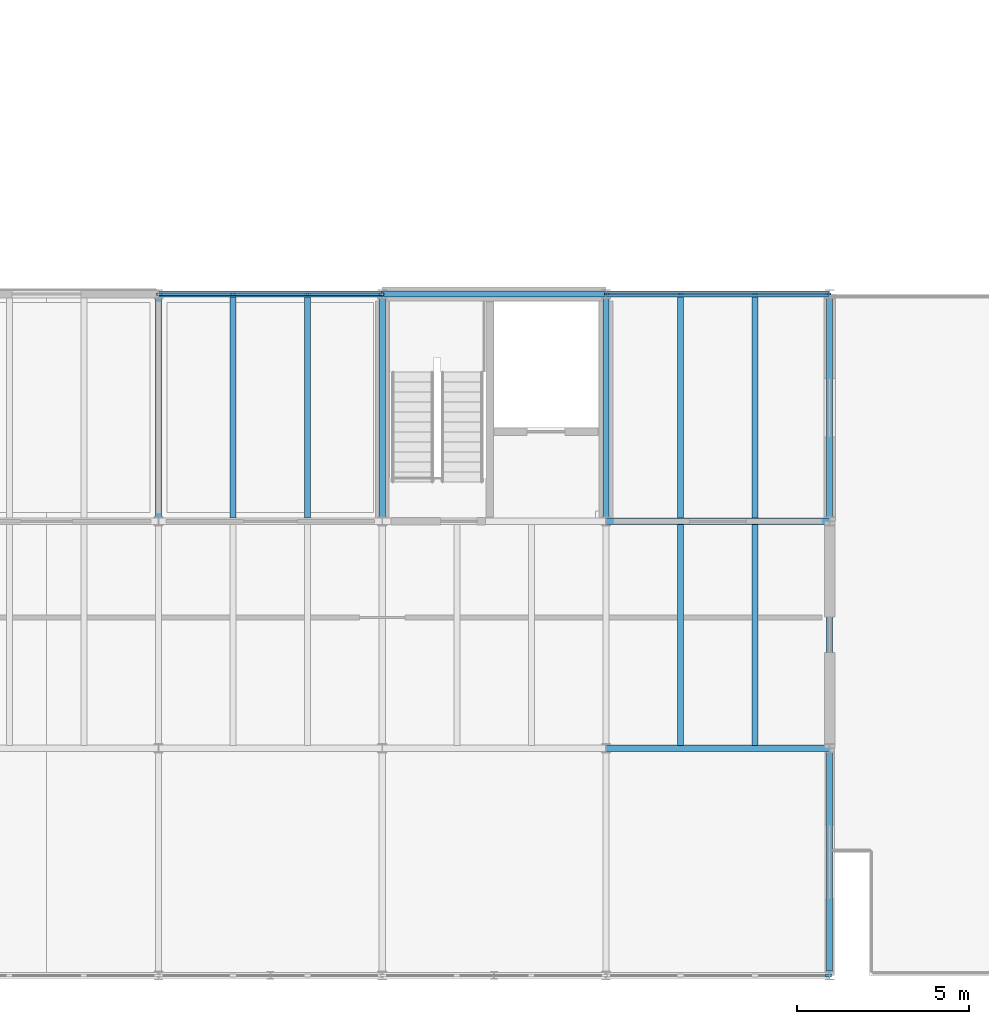
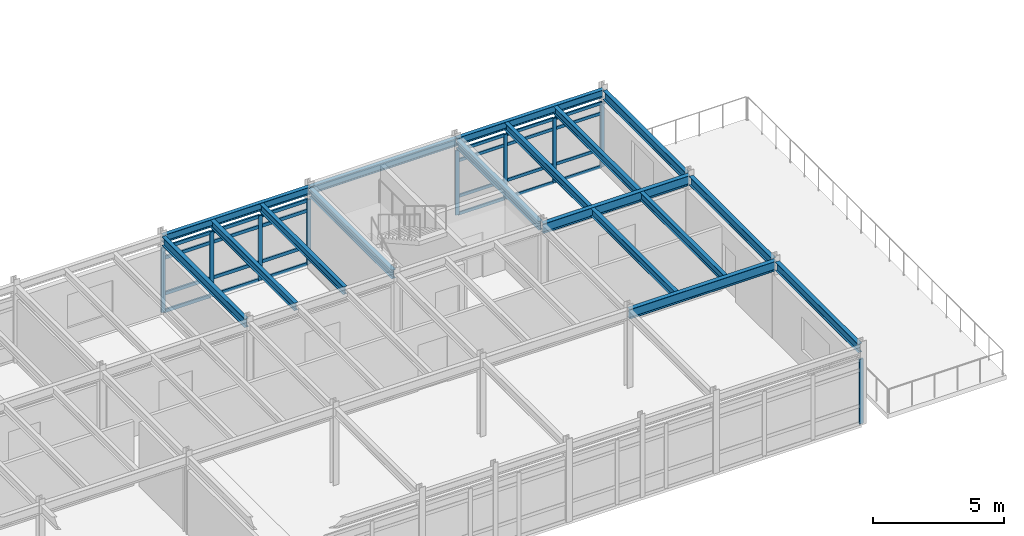
# One storey, part 12 of 26: 33 members, 17 beams, 3 elements without a shape of their own.
"""IFC4 building model written with IfcOpenShell, lengths in metres."""

import ifcopenshell
import ifcopenshell.guid

model = None  # the IFC model being written
_history = None  # IfcOwnerHistory: only IFC2X3 demands one
_inside = {}  # id of a spatial element -> (the spatial element, [elements in it])
_under = {}  # id of a project, library or spatial element -> (it, [spatial elements below it])
_declared = {}  # id of a project -> (the project, [libraries it declares])
_typed = {}  # id of a type object -> (the type object, [elements of that type])
_made_of = {}  # id of a material, layer set ... -> (it, [elements and type objects made of it])


def new_model(schema):
    """Start an empty IFC model of exactly this schema.

    Asked for "IFC4X3", IfcOpenShell would pick the latest addendum, in which some entities
    have other attributes; the version numbers below select the first issue.
    IFC2X3 requires an IfcOwnerHistory on every rooted entity: one is made here for all.
    """
    global model, _history
    if schema == "IFC4X3":
        model = ifcopenshell.file(schema_version=(4, 3, 0, 0))
    else:
        model = ifcopenshell.file(schema=schema)
    _inside.clear()
    _under.clear()
    _declared.clear()
    _typed.clear()
    _made_of.clear()
    _history = None
    if model.schema == "IFC2X3":
        org = make("IfcOrganization", Name="unknown")
        user = make(
            "IfcPersonAndOrganization",
            ThePerson=make("IfcPerson", FamilyName="unknown"),
            TheOrganization=org,
        )
        app = make(
            "IfcApplication",
            ApplicationDeveloper=org,
            Version="unknown",
            ApplicationFullName="unknown",
            ApplicationIdentifier="unknown",
        )
        _history = make(
            "IfcOwnerHistory",
            OwningUser=user,
            OwningApplication=app,
            ChangeAction="ADDED",
            CreationDate=0,
        )
    return model


def make(cls, **values):
    """One entity of the class cls with the attributes given. An attribute that is None is left unset."""
    return model.create_entity(
        cls, **{name: value for name, value in values.items() if value is not None}
    )


def rooted(cls, **values):
    """An entity with a GlobalId (a new one), such as an element, a storey or a relation."""
    return make(cls, GlobalId=ifcopenshell.guid.new(), OwnerHistory=_history, **values)


def si_unit(unit_type, name, prefix=None):
    """IfcSIUnit, for example si_unit("LENGTHUNIT", "METRE", prefix="MILLI")."""
    return make("IfcSIUnit", UnitType=unit_type, Prefix=prefix, Name=name)


def assignment(units):
    """IfcUnitAssignment: the units of a project."""
    return None if units is None else make("IfcUnitAssignment", Units=units)


def point(xyz):
    """IfcCartesianPoint."""
    return None if xyz is None else make("IfcCartesianPoint", Coordinates=xyz)


def direction(xyz):
    """IfcDirection."""
    return None if xyz is None else make("IfcDirection", DirectionRatios=xyz)


def frame(location, z_axis=None, x_axis=None):
    """IfcAxis2Placement3D, a coordinate frame: its origin and axes. An axis left out is left unset."""
    return make(
        "IfcAxis2Placement3D",
        Location=point(location),
        Axis=direction(z_axis),
        RefDirection=direction(x_axis),
    )


def frame_2d(location, x_axis=None):
    """IfcAxis2Placement2D, a coordinate frame in the plane: its origin and x axis."""
    return make(
        "IfcAxis2Placement2D", Location=point(location), RefDirection=direction(x_axis)
    )


def origin():
    """The frame at (0, 0, 0) with its axes left unset."""
    return frame((0.0, 0.0, 0.0))


def origin_2d():
    """The frame at (0, 0) in the plane with its x axis left unset."""
    return frame_2d((0.0, 0.0))


def place(relative_to, where):
    """IfcLocalPlacement: puts the frame where relative to a parent placement (None: the world)."""
    return make(
        "IfcLocalPlacement", PlacementRelTo=relative_to, RelativePlacement=where
    )


def context(
    kind, dimensions, precision=None, world=None, true_north=None, identifier=None
):
    """IfcGeometricRepresentationContext, for example the 3D "Model" context."""
    return make(
        "IfcGeometricRepresentationContext",
        ContextIdentifier=identifier,
        ContextType=kind,
        CoordinateSpaceDimension=dimensions,
        Precision=precision,
        WorldCoordinateSystem=world,
        TrueNorth=true_north,
    )


def subcontext(parent, identifier, kind, view, scale=None):
    """IfcGeometricRepresentationSubContext, for example "Body" below "Model"."""
    return make(
        "IfcGeometricRepresentationSubContext",
        ContextIdentifier=identifier,
        ContextType=kind,
        ParentContext=parent,
        TargetScale=scale,
        TargetView=view,
    )


def project(units=None, contexts=None):
    """IfcProject with its units and contexts."""
    return rooted(
        "IfcProject",
        Name="project",
        RepresentationContexts=contexts,
        UnitsInContext=assignment(units),
    )


def spatial(cls, under=None, at=None, **own):
    """A site, building, storey or space (cls), placed at a placement, below another one or the project."""
    s = rooted(cls, ObjectPlacement=at, **own)
    if under is not None:
        _under.setdefault(under.id(), (under, []))[1].append(s)
    return s


def profile(cls, at=None, kind="AREA", **sizes):
    """A parametric profile (cls). Its sizes go by their IFC names, for example OverallWidth=200.0."""
    return make(cls, ProfileType=kind, Position=at, **sizes)


def rectangle(**sizes):
    """IfcRectangleProfileDef."""
    return profile("IfcRectangleProfileDef", **sizes)


def i_section(**sizes):
    """IfcIShapeProfileDef."""
    return profile("IfcIShapeProfileDef", **sizes)


def extrude(swept, where, along, depth):
    """IfcExtrudedAreaSolid: the profile swept, set in the frame where, extruded along a direction by depth."""
    return make(
        "IfcExtrudedAreaSolid",
        SweptArea=swept,
        Position=where,
        ExtrudedDirection=direction(along),
        Depth=depth,
    )


def shape(context_of_items, identifier, shape_type, items):
    """IfcShapeRepresentation: the items that make up one representation, for example the "Body"."""
    return make(
        "IfcShapeRepresentation",
        ContextOfItems=context_of_items,
        RepresentationIdentifier=identifier,
        RepresentationType=shape_type,
        Items=items,
    )


def material(Name=None, Category=None):
    """IfcMaterial."""
    return make("IfcMaterial", Name=Name, Category=Category)


def layer(
    of_material, thickness, ventilated=None, Name=None, Category=None, Priority=None
):
    """IfcMaterialLayer: one layer of a wall or slab, of a material (None: an air gap)."""
    return make(
        "IfcMaterialLayer",
        Material=of_material,
        LayerThickness=thickness,
        IsVentilated=ventilated,
        Name=Name,
        Category=Category,
        Priority=Priority,
    )


def layer_set(layers, Name=None):
    """IfcMaterialLayerSet."""
    return make("IfcMaterialLayerSet", MaterialLayers=layers, LayerSetName=Name)


def material_profile(
    of_material, cross_section, Name=None, Category=None, Priority=None
):
    """IfcMaterialProfile: a cross section and its material."""
    return make(
        "IfcMaterialProfile",
        Name=Name,
        Material=of_material,
        Profile=cross_section,
        Priority=Priority,
        Category=Category,
    )


def profile_set(profiles, Name=None, composite=None):
    """IfcMaterialProfileSet."""
    return make(
        "IfcMaterialProfileSet",
        Name=Name,
        MaterialProfiles=profiles,
        CompositeProfile=composite,
    )


def made_of(thing, what):
    """Note that an element or type object is made of a material, layer set ...; save() writes the relation."""
    if what is not None:
        _made_of.setdefault(what.id(), (what, []))[1].append(thing)
    return thing


def type_object(cls, material=None, **own):
    """A type object (cls), such as IfcWallType, which elements share."""
    return made_of(rooted(cls, **own), material)


def element(
    cls,
    number,
    at=None,
    inside=None,
    cuts=None,
    type_object=None,
    material=None,
    context=None,
    identifier="Body",
    shape_type=None,
    held_by="IfcProductDefinitionShape",
    body=None,
    shapes=None,
    **own,
):
    """One element of the class cls, such as IfcWall. Its Tag is "e" and its number.

    at: its placement. inside: the storey or other place that contains it. cuts: it is an
    opening in that element (IfcRelVoidsElement). A single representation is given by context,
    identifier, shape_type and body (its items); several are given by shapes. held_by: the class
    of the entity that holds the representations. save() writes the other relations.
    """
    e = rooted(cls, Tag="e%d" % number, ObjectPlacement=at, **own)
    if body is not None:
        shapes = [shape(context, identifier, shape_type, body)]
    if shapes is not None:
        e.Representation = make(held_by, Representations=shapes)
    if inside is not None:
        _inside.setdefault(inside.id(), (inside, []))[1].append(e)
    if cuts is not None:
        rooted(
            "IfcRelVoidsElement", RelatingBuildingElement=cuts, RelatedOpeningElement=e
        )
    if type_object is not None:
        _typed.setdefault(type_object.id(), (type_object, []))[1].append(e)
    return made_of(e, material)


def aggregate(whole, parts):
    """IfcRelAggregates: a whole, such as a stair, and the parts it consists of."""
    return rooted("IfcRelAggregates", RelatingObject=whole, RelatedObjects=parts)


def save(model, path):
    """Write the relations noted so far, then the file.

    IfcRelAggregates (storeys below a building ...), IfcRelContainedInSpatialStructure (elements
    in a storey), IfcRelDefinesByType, IfcRelAssociatesMaterial and IfcRelDeclares: one each for
    every whole, place, type object, material and project.
    """
    for whole, parts in _under.values():
        aggregate(whole, parts)
    for where, things in _inside.values():
        rooted(
            "IfcRelContainedInSpatialStructure",
            RelatedElements=things,
            RelatingStructure=where,
        )
    for kind, things in _typed.values():
        rooted("IfcRelDefinesByType", RelatedObjects=things, RelatingType=kind)
    for what, things in _made_of.values():
        rooted("IfcRelAssociatesMaterial", RelatedObjects=things, RelatingMaterial=what)
    for by, libraries in _declared.values():
        rooted("IfcRelDeclares", RelatingContext=by, RelatedDefinitions=libraries)
    model.write(path)


model = new_model("IFC4")

# Units and contexts
model_context = context("Model", 3, precision=1e-05, world=origin(), true_north=direction((0.0, 1.0)))
body_context = subcontext(model_context, "Body", "Model", "MODEL_VIEW")
ifc_project = project(units=[si_unit("LENGTHUNIT", "METRE"), si_unit("AREAUNIT", "SQUARE_METRE"), si_unit("VOLUMEUNIT", "CUBIC_METRE"), si_unit("PLANEANGLEUNIT", "RADIAN"), si_unit("MASSUNIT", "GRAM", prefix="KILO")], contexts=[model_context])

# Site, building, storey
site_placement = place(None, origin())
site = spatial("IfcSite", under=ifc_project, at=site_placement, CompositionType="ELEMENT")
building_placement = place(site_placement, origin())
building = spatial("IfcBuilding", under=site, at=building_placement, Name="Trelmorton Wharf Fire Station", CompositionType="ELEMENT")
storey_placement = place(building_placement, frame((0.0, 0.0, 17.39990234375)))
storey = spatial("IfcBuildingStorey", under=building, at=storey_placement, Name="L04", CompositionType="ELEMENT", Elevation=17.39990234375)

# Beams
ifc_material_1 = material(Name="Steel Grade 350", Category="steel")
ifc_material_profile_1 = material_profile(ifc_material_1, i_section(OverallWidth=0.177978515625, OverallDepth=0.406005859375, WebThickness=0.0078125, FlangeThickness=0.0126953125, FilletRadius=0.011474609375, at=origin_2d()), Name="410UB59.7")
ifc_profile_set_1 = profile_set([ifc_material_profile_1], Name="Steel Grade 350")
beam_type_1 = type_object("IfcBeamType", Name="BM_410UB60", PredefinedType="BEAM", material=ifc_profile_set_1)
for number, where, z_axis, x_axis, name in (
    (1, (136.5, 21.1259765625, 3.427001953125), (0.0, 1.0, 0.0), (-1.0, 0.0, 0.0), "BM-L04-1114"),
    (2, (143.0, 21.1259765625, 3.427001953125), (0.0, 1.0, 0.0), (-1.0, 0.0, 0.0), "BM-L04-1117"),
    (3, (149.5, 21.1259765625, 3.427001953125), (0.0, 1.0, 0.0), (-1.0, 0.0, 0.0), "BM-L04-1120"),
):
    element("IfcBeam", number, at=place(storey_placement, frame(where, z_axis=z_axis, x_axis=x_axis)), inside=storey, type_object=beam_type_1, Name=name, PredefinedType="BEAM", context=body_context, shape_type="SweptSolid", body=[
        extrude(i_section(OverallWidth=0.177978515625, OverallDepth=0.406005859375, WebThickness=0.0078125, FlangeThickness=0.0126953125, FilletRadius=0.011474609375, at=origin_2d()), origin(), (0.0, 0.0, 1.0), 6.34814453125),
    ])
beam_placement = place(storey_placement, frame((156.0, 7.926025390625, 3.427001953125), z_axis=(0.0, 1.0, 0.0), x_axis=(-1.0, 0.0, 0.0)))
element("IfcBeam", 4, at=beam_placement, inside=storey, type_object=beam_type_1, Name="BM-L04-1121", PredefinedType="BEAM", context=body_context, shape_type="SweptSolid", body=[
    extrude(i_section(OverallWidth=0.177978515625, OverallDepth=0.406005859375, WebThickness=0.0078125, FlangeThickness=0.0126953125, FilletRadius=0.011474609375, at=origin_2d()), origin(), (0.0, 0.0, 1.0), 6.347900390625),
])
for number, where, z_axis, x_axis, name in (
    (5, (156.0, 14.52587890625, 3.427001953125), (0.0, 1.0, 0.0), (-1.0, 0.0, 0.0), "BM-L04-1122"),
    (6, (156.0, 21.1259765625, 3.427001953125), (0.0, 1.0, 0.0), (-1.0, 0.0, 0.0), "BM-L04-1123"),
):
    element("IfcBeam", number, at=place(storey_placement, frame(where, z_axis=z_axis, x_axis=x_axis)), inside=storey, type_object=beam_type_1, Name=name, PredefinedType="BEAM", context=body_context, shape_type="SweptSolid", body=[
        extrude(i_section(OverallWidth=0.177978515625, OverallDepth=0.406005859375, WebThickness=0.0078125, FlangeThickness=0.0126953125, FilletRadius=0.011474609375, at=origin_2d()), origin(), (0.0, 0.0, 1.0), 6.34814453125),
    ])
ifc_material_profile_2 = material_profile(ifc_material_1, i_section(OverallWidth=0.18994140625, OverallDepth=0.45703125, WebThickness=0.009033203125, FlangeThickness=0.014404296875, FilletRadius=0.011474609375, at=origin_2d()), Name="460UB74.6")
ifc_profile_set_2 = profile_set([ifc_material_profile_2], Name="Steel Grade 350")
beam_type_2 = type_object("IfcBeamType", Name="BM_460UB75", PredefinedType="BEAM", material=ifc_profile_set_2)
for number, where, z_axis, x_axis, name in (
    (7, (149.50390625, 14.39990234375, 3.401611328125), (1.0, 0.0, 0.0), (0.0, 1.0, 0.0), "BM-L04-1047"),
    (8, (149.50390625, 21.0, 3.401611328125), (1.0, 0.0, 0.0), (0.0, 1.0, 0.0), "BM-L04-1054"),
):
    element("IfcBeam", number, at=place(storey_placement, frame(where, z_axis=z_axis, x_axis=x_axis)), inside=storey, type_object=beam_type_2, Name=name, PredefinedType="BEAM", context=body_context, shape_type="SweptSolid", body=[
        extrude(i_section(OverallWidth=0.18994140625, OverallDepth=0.45703125, WebThickness=0.009033203125, FlangeThickness=0.014404296875, FilletRadius=0.011474609375, at=origin_2d()), origin(), (0.0, 0.0, 1.0), 6.4921875),
    ])

# Curtain wall, members
ifc_material_2 = material(Name="Anodised aluminium AW-6063", Category="aluminium")
ifc_layer_1 = layer(ifc_material_2, 0.14990234375)
ifc_layer_set_1 = layer_set([ifc_layer_1], Name="Anodised aluminium AW-6063")
curtain_wall_type_1 = type_object("IfcCurtainWallType", Name="CW_UNIT_A", PredefinedType="USERDEFINED", material=ifc_layer_set_1)
curtain_wall_1_placement = place(storey_placement, origin())
curtain_wall_1 = element("IfcCurtainWall", 9, at=curtain_wall_1_placement, inside=storey, type_object=curtain_wall_type_1, Name="CW-V5-L04-081", ObjectType="UNITISED CURTAIN WALL", PredefinedType="USERDEFINED")
ifc_material_profile_3 = material_profile(ifc_material_2, rectangle(XDim=0.06494140625, YDim=0.159912109375, at=origin_2d()), Name="ALU-65x160")
ifc_profile_set_3 = profile_set([ifc_material_profile_3], Name="Anodised aluminium AW-6063")
member_type_1 = type_object("IfcMemberType", Name="CWM_65x160", PredefinedType="MULLION", material=ifc_profile_set_3)
member_1_placement = place(storey_placement, frame((149.534912109375, 27.60009765625, 0.0), z_axis=(0.0, 0.0, 1.0), x_axis=(0.0, 1.0, 0.0)))
member_1 = element("IfcMember", 10, at=member_1_placement, type_object=member_type_1, Name="CW3 mullion 1", PredefinedType="MULLION", context=body_context, shape_type="SweptSolid", body=[
    extrude(rectangle(XDim=0.06494140625, YDim=0.159912109375, at=origin_2d()), origin(), (0.0, 0.0, 1.0), 3.02001953125),
])
member_2_placement = place(storey_placement, frame((151.668212890625, 27.60009765625, 0.0), z_axis=(0.0, 0.0, 1.0), x_axis=(0.0, 1.0, 0.0)))
member_2 = element("IfcMember", 11, at=member_2_placement, type_object=member_type_1, Name="CW3 mullion 2", PredefinedType="MULLION", context=body_context, shape_type="SweptSolid", body=[
    extrude(rectangle(XDim=0.06494140625, YDim=0.159912109375, at=origin_2d()), origin(), (0.0, 0.0, 1.0), 3.02001953125),
])
member_3_placement = place(storey_placement, frame((153.831787109375, 27.60009765625, 0.0), z_axis=(0.0, 0.0, 1.0), x_axis=(0.0, 1.0, 0.0)))
member_3 = element("IfcMember", 12, at=member_3_placement, type_object=member_type_1, Name="CW3 mullion 3", PredefinedType="MULLION", context=body_context, shape_type="SweptSolid", body=[
    extrude(rectangle(XDim=0.06494140625, YDim=0.159912109375, at=origin_2d()), origin(), (0.0, 0.0, 1.0), 3.02001953125),
])
member_4_placement = place(storey_placement, frame((155.965087890625, 27.60009765625, 0.0), z_axis=(0.0, 0.0, 1.0), x_axis=(0.0, 1.0, 0.0)))
member_4 = element("IfcMember", 13, at=member_4_placement, type_object=member_type_1, Name="CW3 mullion 4", PredefinedType="MULLION", context=body_context, shape_type="SweptSolid", body=[
    extrude(rectangle(XDim=0.06494140625, YDim=0.159912109375, at=origin_2d()), origin(), (0.0, 0.0, 1.0), 3.02001953125),
])

# Curtain wall, member
ifc_layer_2 = layer(ifc_material_2, 0.159912109375)
ifc_layer_set_2 = layer_set([ifc_layer_2], Name="Anodised aluminium AW-6063")
curtain_wall_type_2 = type_object("IfcCurtainWallType", Name="CW_CHIC_A", PredefinedType="USERDEFINED", material=ifc_layer_set_2)
curtain_wall_2_placement = place(storey_placement, origin())
curtain_wall_2 = element("IfcCurtainWall", 14, at=curtain_wall_2_placement, inside=storey, type_object=curtain_wall_type_2, Name="CW-V5-L04-078", ObjectType="CHICAGO BAY CURTAIN WALL", PredefinedType="USERDEFINED")
ifc_material_profile_4 = material_profile(ifc_material_2, rectangle(XDim=0.074951171875, YDim=0.175048828125, at=origin_2d()), Name="ALU-75x175")
ifc_profile_set_4 = profile_set([ifc_material_profile_4], Name="Anodised aluminium AW-6063")
member_type_2 = type_object("IfcMemberType", Name="CWM_75x175", PredefinedType="MULLION", material=ifc_profile_set_4)
member_5_placement = place(storey_placement, frame((155.965087890625, 7.800048828125, 0.0), z_axis=(0.0, 0.0, 1.0), x_axis=(0.0, -1.0, 0.0)))
member_5 = element("IfcMember", 15, at=member_5_placement, type_object=member_type_2, Name="CW1 mullion 1", PredefinedType="MULLION", context=body_context, shape_type="SweptSolid", body=[
    extrude(rectangle(XDim=0.074951171875, YDim=0.175048828125, at=origin_2d()), origin(), (0.0, 0.0, 1.0), 3.02001953125),
])
aggregate(curtain_wall_2, [member_5])

# Curtain wall, members
curtain_wall_3_placement = place(storey_placement, origin())
curtain_wall_3 = element("IfcCurtainWall", 16, at=curtain_wall_3_placement, inside=storey, type_object=curtain_wall_type_1, Name="CW-V5-L04-080", ObjectType="UNITISED CURTAIN WALL", PredefinedType="USERDEFINED")
member_6_placement = place(storey_placement, frame((136.534912109375, 27.60009765625, 0.0), z_axis=(0.0, 0.0, 1.0), x_axis=(0.0, 1.0, 0.0)))
member_6 = element("IfcMember", 17, at=member_6_placement, type_object=member_type_2, Name="CW3 mullion 1", PredefinedType="MULLION", context=body_context, shape_type="SweptSolid", body=[
    extrude(rectangle(XDim=0.074951171875, YDim=0.175048828125, at=origin_2d()), origin(), (0.0, 0.0, 1.0), 3.02001953125),
])
member_7_placement = place(storey_placement, frame((138.668212890625, 27.60009765625, 0.0), z_axis=(0.0, 0.0, 1.0), x_axis=(0.0, 1.0, 0.0)))
member_7 = element("IfcMember", 18, at=member_7_placement, type_object=member_type_2, Name="CW3 mullion 2", PredefinedType="MULLION", context=body_context, shape_type="SweptSolid", body=[
    extrude(rectangle(XDim=0.074951171875, YDim=0.175048828125, at=origin_2d()), origin(), (0.0, 0.0, 1.0), 3.02001953125),
])
member_8_placement = place(storey_placement, frame((140.831787109375, 27.60009765625, 0.0), z_axis=(0.0, 0.0, 1.0), x_axis=(0.0, 1.0, 0.0)))
member_8 = element("IfcMember", 19, at=member_8_placement, type_object=member_type_2, Name="CW3 mullion 3", PredefinedType="MULLION", context=body_context, shape_type="SweptSolid", body=[
    extrude(rectangle(XDim=0.074951171875, YDim=0.175048828125, at=origin_2d()), origin(), (0.0, 0.0, 1.0), 3.02001953125),
])
member_9_placement = place(storey_placement, frame((142.965087890625, 27.60009765625, 0.0), z_axis=(0.0, 0.0, 1.0), x_axis=(0.0, 1.0, 0.0)))
member_9 = element("IfcMember", 20, at=member_9_placement, type_object=member_type_2, Name="CW3 mullion 4", PredefinedType="MULLION", context=body_context, shape_type="SweptSolid", body=[
    extrude(rectangle(XDim=0.074951171875, YDim=0.175048828125, at=origin_2d()), origin(), (0.0, 0.0, 1.0), 3.02001953125),
])

# Member
ifc_material_profile_5 = material_profile(ifc_material_2, rectangle(XDim=0.06494140625, YDim=0.139892578125, at=origin_2d()), Name="ALU-65x140")
ifc_profile_set_5 = profile_set([ifc_material_profile_5], Name="Anodised aluminium AW-6063")
member_type_3 = type_object("IfcMemberType", Name="CWT_65x140", PredefinedType="USERDEFINED", material=ifc_profile_set_5)
member_10_placement = place(storey_placement, frame((149.56494140625, 27.60009765625, 0.030029296875), z_axis=(1.0, 0.0, 0.0), x_axis=(0.0, 1.0, 0.0)))
member_10 = element("IfcMember", 21, at=member_10_placement, type_object=member_type_3, Name="CW3 transom 1.1", ObjectType="TRANSOM", PredefinedType="USERDEFINED", context=body_context, shape_type="SweptSolid", body=[
    extrude(rectangle(XDim=0.06494140625, YDim=0.139892578125, at=origin_2d()), origin(), (0.0, 0.0, 1.0), 2.073486328125),
])

member_11_placement = place(storey_placement, frame((149.56494140625, 27.60009765625, 0.85009765625), z_axis=(1.0, 0.0, 0.0), x_axis=(0.0, 1.0, 0.0)))
member_11 = element("IfcMember", 22, at=member_11_placement, type_object=member_type_3, Name="CW3 transom 1.2", ObjectType="TRANSOM", PredefinedType="USERDEFINED", context=body_context, shape_type="SweptSolid", body=[
    extrude(rectangle(XDim=0.06494140625, YDim=0.139892578125, at=origin_2d()), origin(), (0.0, 0.0, 1.0), 2.073486328125),
])

member_12_placement = place(storey_placement, frame((149.56494140625, 27.60009765625, 2.52001953125), z_axis=(1.0, 0.0, 0.0), x_axis=(0.0, 1.0, 0.0)))
member_12 = element("IfcMember", 23, at=member_12_placement, type_object=member_type_3, Name="CW3 transom 1.3", ObjectType="TRANSOM", PredefinedType="USERDEFINED", context=body_context, shape_type="SweptSolid", body=[
    extrude(rectangle(XDim=0.06494140625, YDim=0.139892578125, at=origin_2d()), origin(), (0.0, 0.0, 1.0), 2.073486328125),
])

member_13_placement = place(storey_placement, frame((149.56494140625, 27.60009765625, 2.989990234375), z_axis=(1.0, 0.0, 0.0), x_axis=(0.0, 1.0, 0.0)))
member_13 = element("IfcMember", 24, at=member_13_placement, type_object=member_type_3, Name="CW3 transom 1.4", ObjectType="TRANSOM", PredefinedType="USERDEFINED", context=body_context, shape_type="SweptSolid", body=[
    extrude(rectangle(XDim=0.06494140625, YDim=0.139892578125, at=origin_2d()), origin(), (0.0, 0.0, 1.0), 2.073486328125),
])

member_14_placement = place(storey_placement, frame((151.6982421875, 27.60009765625, 0.030029296875), z_axis=(1.0, 0.0, 0.0), x_axis=(0.0, 1.0, 0.0)))
member_14 = element("IfcMember", 25, at=member_14_placement, type_object=member_type_3, Name="CW3 transom 2.1", ObjectType="TRANSOM", PredefinedType="USERDEFINED", context=body_context, shape_type="SweptSolid", body=[
    extrude(rectangle(XDim=0.06494140625, YDim=0.139892578125, at=origin_2d()), origin(), (0.0, 0.0, 1.0), 2.103515625),
])

member_15_placement = place(storey_placement, frame((151.6982421875, 27.60009765625, 0.85009765625), z_axis=(1.0, 0.0, 0.0), x_axis=(0.0, 1.0, 0.0)))
member_15 = element("IfcMember", 26, at=member_15_placement, type_object=member_type_3, Name="CW3 transom 2.2", ObjectType="TRANSOM", PredefinedType="USERDEFINED", context=body_context, shape_type="SweptSolid", body=[
    extrude(rectangle(XDim=0.06494140625, YDim=0.139892578125, at=origin_2d()), origin(), (0.0, 0.0, 1.0), 2.103515625),
])

member_16_placement = place(storey_placement, frame((151.6982421875, 27.60009765625, 2.52001953125), z_axis=(1.0, 0.0, 0.0), x_axis=(0.0, 1.0, 0.0)))
member_16 = element("IfcMember", 27, at=member_16_placement, type_object=member_type_3, Name="CW3 transom 2.3", ObjectType="TRANSOM", PredefinedType="USERDEFINED", context=body_context, shape_type="SweptSolid", body=[
    extrude(rectangle(XDim=0.06494140625, YDim=0.139892578125, at=origin_2d()), origin(), (0.0, 0.0, 1.0), 2.103515625),
])

member_17_placement = place(storey_placement, frame((151.6982421875, 27.60009765625, 2.989990234375), z_axis=(1.0, 0.0, 0.0), x_axis=(0.0, 1.0, 0.0)))
member_17 = element("IfcMember", 28, at=member_17_placement, type_object=member_type_3, Name="CW3 transom 2.4", ObjectType="TRANSOM", PredefinedType="USERDEFINED", context=body_context, shape_type="SweptSolid", body=[
    extrude(rectangle(XDim=0.06494140625, YDim=0.139892578125, at=origin_2d()), origin(), (0.0, 0.0, 1.0), 2.103515625),
])

member_18_placement = place(storey_placement, frame((153.861572265625, 27.60009765625, 0.030029296875), z_axis=(1.0, 0.0, 0.0), x_axis=(0.0, 1.0, 0.0)))
member_18 = element("IfcMember", 29, at=member_18_placement, type_object=member_type_3, Name="CW3 transom 3.1", ObjectType="TRANSOM", PredefinedType="USERDEFINED", context=body_context, shape_type="SweptSolid", body=[
    extrude(rectangle(XDim=0.06494140625, YDim=0.139892578125, at=origin_2d()), origin(), (0.0, 0.0, 1.0), 2.073486328125),
])

member_19_placement = place(storey_placement, frame((153.861572265625, 27.60009765625, 0.85009765625), z_axis=(1.0, 0.0, 0.0), x_axis=(0.0, 1.0, 0.0)))
member_19 = element("IfcMember", 30, at=member_19_placement, type_object=member_type_3, Name="CW3 transom 3.2", ObjectType="TRANSOM", PredefinedType="USERDEFINED", context=body_context, shape_type="SweptSolid", body=[
    extrude(rectangle(XDim=0.06494140625, YDim=0.139892578125, at=origin_2d()), origin(), (0.0, 0.0, 1.0), 2.073486328125),
])

member_20_placement = place(storey_placement, frame((153.861572265625, 27.60009765625, 2.52001953125), z_axis=(1.0, 0.0, 0.0), x_axis=(0.0, 1.0, 0.0)))
member_20 = element("IfcMember", 31, at=member_20_placement, type_object=member_type_3, Name="CW3 transom 3.3", ObjectType="TRANSOM", PredefinedType="USERDEFINED", context=body_context, shape_type="SweptSolid", body=[
    extrude(rectangle(XDim=0.06494140625, YDim=0.139892578125, at=origin_2d()), origin(), (0.0, 0.0, 1.0), 2.073486328125),
])

member_21_placement = place(storey_placement, frame((153.861572265625, 27.60009765625, 2.989990234375), z_axis=(1.0, 0.0, 0.0), x_axis=(0.0, 1.0, 0.0)))
member_21 = element("IfcMember", 32, at=member_21_placement, type_object=member_type_3, Name="CW3 transom 3.4", ObjectType="TRANSOM", PredefinedType="USERDEFINED", context=body_context, shape_type="SweptSolid", body=[
    extrude(rectangle(XDim=0.06494140625, YDim=0.139892578125, at=origin_2d()), origin(), (0.0, 0.0, 1.0), 2.073486328125),
])

aggregate(curtain_wall_1, [member_1, member_2, member_3, member_4, member_10, member_11, member_12, member_13, member_14, member_15, member_16, member_17, member_18, member_19, member_20, member_21])

ifc_material_profile_6 = material_profile(ifc_material_2, rectangle(XDim=0.074951171875, YDim=0.155029296875, at=origin_2d()), Name="ALU-75x155")
ifc_profile_set_6 = profile_set([ifc_material_profile_6], Name="Anodised aluminium AW-6063")
member_type_4 = type_object("IfcMemberType", Name="CWT_75x155", PredefinedType="USERDEFINED", material=ifc_profile_set_6)
member_22_placement = place(storey_placement, frame((136.56494140625, 27.60009765625, 0.030029296875), z_axis=(1.0, 0.0, 0.0), x_axis=(0.0, 1.0, 0.0)))
member_22 = element("IfcMember", 33, at=member_22_placement, type_object=member_type_4, Name="CW3 transom 1.1", ObjectType="TRANSOM", PredefinedType="USERDEFINED", context=body_context, shape_type="SweptSolid", body=[
    extrude(rectangle(XDim=0.074951171875, YDim=0.155029296875, at=origin_2d()), origin(), (0.0, 0.0, 1.0), 2.073486328125),
])

member_23_placement = place(storey_placement, frame((136.56494140625, 27.60009765625, 0.85009765625), z_axis=(1.0, 0.0, 0.0), x_axis=(0.0, 1.0, 0.0)))
member_23 = element("IfcMember", 34, at=member_23_placement, type_object=member_type_4, Name="CW3 transom 1.2", ObjectType="TRANSOM", PredefinedType="USERDEFINED", context=body_context, shape_type="SweptSolid", body=[
    extrude(rectangle(XDim=0.074951171875, YDim=0.155029296875, at=origin_2d()), origin(), (0.0, 0.0, 1.0), 2.073486328125),
])

member_24_placement = place(storey_placement, frame((136.56494140625, 27.60009765625, 2.52001953125), z_axis=(1.0, 0.0, 0.0), x_axis=(0.0, 1.0, 0.0)))
member_24 = element("IfcMember", 35, at=member_24_placement, type_object=member_type_4, Name="CW3 transom 1.3", ObjectType="TRANSOM", PredefinedType="USERDEFINED", context=body_context, shape_type="SweptSolid", body=[
    extrude(rectangle(XDim=0.074951171875, YDim=0.155029296875, at=origin_2d()), origin(), (0.0, 0.0, 1.0), 2.073486328125),
])

member_25_placement = place(storey_placement, frame((136.56494140625, 27.60009765625, 2.989990234375), z_axis=(1.0, 0.0, 0.0), x_axis=(0.0, 1.0, 0.0)))
member_25 = element("IfcMember", 36, at=member_25_placement, type_object=member_type_4, Name="CW3 transom 1.4", ObjectType="TRANSOM", PredefinedType="USERDEFINED", context=body_context, shape_type="SweptSolid", body=[
    extrude(rectangle(XDim=0.074951171875, YDim=0.155029296875, at=origin_2d()), origin(), (0.0, 0.0, 1.0), 2.073486328125),
])

member_26_placement = place(storey_placement, frame((138.6982421875, 27.60009765625, 0.030029296875), z_axis=(1.0, 0.0, 0.0), x_axis=(0.0, 1.0, 0.0)))
member_26 = element("IfcMember", 37, at=member_26_placement, type_object=member_type_4, Name="CW3 transom 2.1", ObjectType="TRANSOM", PredefinedType="USERDEFINED", context=body_context, shape_type="SweptSolid", body=[
    extrude(rectangle(XDim=0.074951171875, YDim=0.155029296875, at=origin_2d()), origin(), (0.0, 0.0, 1.0), 2.103515625),
])

member_27_placement = place(storey_placement, frame((138.6982421875, 27.60009765625, 0.85009765625), z_axis=(1.0, 0.0, 0.0), x_axis=(0.0, 1.0, 0.0)))
member_27 = element("IfcMember", 38, at=member_27_placement, type_object=member_type_4, Name="CW3 transom 2.2", ObjectType="TRANSOM", PredefinedType="USERDEFINED", context=body_context, shape_type="SweptSolid", body=[
    extrude(rectangle(XDim=0.074951171875, YDim=0.155029296875, at=origin_2d()), origin(), (0.0, 0.0, 1.0), 2.103515625),
])

member_28_placement = place(storey_placement, frame((138.6982421875, 27.60009765625, 2.52001953125), z_axis=(1.0, 0.0, 0.0), x_axis=(0.0, 1.0, 0.0)))
member_28 = element("IfcMember", 39, at=member_28_placement, type_object=member_type_4, Name="CW3 transom 2.3", ObjectType="TRANSOM", PredefinedType="USERDEFINED", context=body_context, shape_type="SweptSolid", body=[
    extrude(rectangle(XDim=0.074951171875, YDim=0.155029296875, at=origin_2d()), origin(), (0.0, 0.0, 1.0), 2.103515625),
])

member_29_placement = place(storey_placement, frame((138.6982421875, 27.60009765625, 2.989990234375), z_axis=(1.0, 0.0, 0.0), x_axis=(0.0, 1.0, 0.0)))
member_29 = element("IfcMember", 40, at=member_29_placement, type_object=member_type_4, Name="CW3 transom 2.4", ObjectType="TRANSOM", PredefinedType="USERDEFINED", context=body_context, shape_type="SweptSolid", body=[
    extrude(rectangle(XDim=0.074951171875, YDim=0.155029296875, at=origin_2d()), origin(), (0.0, 0.0, 1.0), 2.103515625),
])

member_30_placement = place(storey_placement, frame((140.861572265625, 27.60009765625, 0.030029296875), z_axis=(1.0, 0.0, 0.0), x_axis=(0.0, 1.0, 0.0)))
member_30 = element("IfcMember", 41, at=member_30_placement, type_object=member_type_4, Name="CW3 transom 3.1", ObjectType="TRANSOM", PredefinedType="USERDEFINED", context=body_context, shape_type="SweptSolid", body=[
    extrude(rectangle(XDim=0.074951171875, YDim=0.155029296875, at=origin_2d()), origin(), (0.0, 0.0, 1.0), 2.073486328125),
])

member_31_placement = place(storey_placement, frame((140.861572265625, 27.60009765625, 0.85009765625), z_axis=(1.0, 0.0, 0.0), x_axis=(0.0, 1.0, 0.0)))
member_31 = element("IfcMember", 42, at=member_31_placement, type_object=member_type_4, Name="CW3 transom 3.2", ObjectType="TRANSOM", PredefinedType="USERDEFINED", context=body_context, shape_type="SweptSolid", body=[
    extrude(rectangle(XDim=0.074951171875, YDim=0.155029296875, at=origin_2d()), origin(), (0.0, 0.0, 1.0), 2.073486328125),
])

member_32_placement = place(storey_placement, frame((140.861572265625, 27.60009765625, 2.52001953125), z_axis=(1.0, 0.0, 0.0), x_axis=(0.0, 1.0, 0.0)))
member_32 = element("IfcMember", 43, at=member_32_placement, type_object=member_type_4, Name="CW3 transom 3.3", ObjectType="TRANSOM", PredefinedType="USERDEFINED", context=body_context, shape_type="SweptSolid", body=[
    extrude(rectangle(XDim=0.074951171875, YDim=0.155029296875, at=origin_2d()), origin(), (0.0, 0.0, 1.0), 2.073486328125),
])

member_33_placement = place(storey_placement, frame((140.861572265625, 27.60009765625, 2.989990234375), z_axis=(1.0, 0.0, 0.0), x_axis=(0.0, 1.0, 0.0)))
member_33 = element("IfcMember", 44, at=member_33_placement, type_object=member_type_4, Name="CW3 transom 3.4", ObjectType="TRANSOM", PredefinedType="USERDEFINED", context=body_context, shape_type="SweptSolid", body=[
    extrude(rectangle(XDim=0.074951171875, YDim=0.155029296875, at=origin_2d()), origin(), (0.0, 0.0, 1.0), 2.073486328125),
])

aggregate(curtain_wall_3, [member_6, member_7, member_8, member_9, member_22, member_23, member_24, member_25, member_26, member_27, member_28, member_29, member_30, member_31, member_32, member_33])

# Beams
ifc_material_profile_7 = material_profile(ifc_material_1, i_section(OverallWidth=0.172119140625, OverallDepth=0.35888671875, WebThickness=0.008056640625, FlangeThickness=0.012939453125, FilletRadius=0.011474609375, at=origin_2d()), Name="360UB56.7")
ifc_profile_set_7 = profile_set([ifc_material_profile_7], Name="Steel Grade 350")
beam_type_3 = type_object("IfcBeamType", Name="JS_360UB57", PredefinedType="JOIST", material=ifc_profile_set_7)
for number, where, z_axis, x_axis, name in (
    (45, (138.666748046875, 21.090087890625, 3.45068359375), (0.0, 1.0, 0.0), (-1.0, 0.0, 0.0), "JS-L04-0403"),
    (46, (140.833251953125, 21.090087890625, 3.45068359375), (0.0, 1.0, 0.0), (-1.0, 0.0, 0.0), "JS-L04-0404"),
    (47, (151.666748046875, 14.489990234375, 3.45068359375), (0.0, 1.0, 0.0), (-1.0, 0.0, 0.0), "JS-L04-0407"),
    (48, (153.833251953125, 14.489990234375, 3.45068359375), (0.0, 1.0, 0.0), (-1.0, 0.0, 0.0), "JS-L04-0408"),
    (49, (151.666748046875, 21.090087890625, 3.45068359375), (0.0, 1.0, 0.0), (-1.0, 0.0, 0.0), "JS-L04-0409"),
    (50, (153.833251953125, 21.090087890625, 3.45068359375), (0.0, 1.0, 0.0), (-1.0, 0.0, 0.0), "JS-L04-0410"),
):
    element("IfcBeam", number, at=place(storey_placement, frame(where, z_axis=z_axis, x_axis=x_axis)), inside=storey, type_object=beam_type_3, Name=name, PredefinedType="JOIST", context=body_context, shape_type="SweptSolid", body=[
        extrude(i_section(OverallWidth=0.172119140625, OverallDepth=0.35888671875, WebThickness=0.008056640625, FlangeThickness=0.012939453125, FilletRadius=0.011474609375, at=origin_2d()), origin(), (0.0, 0.0, 1.0), 6.419921875),
    ])
ifc_material_profile_8 = material_profile(ifc_material_1, i_section(OverallWidth=0.1708984375, OverallDepth=0.35595703125, WebThickness=0.00732421875, FlangeThickness=0.011474609375, FilletRadius=0.011474609375, at=origin_2d()), Name="360UB50.7")
ifc_profile_set_8 = profile_set([ifc_material_profile_8], Name="Steel Grade 350")
beam_type_4 = type_object("IfcBeamType", Name="SP_360UB51", PredefinedType="SPANDREL", material=ifc_profile_set_8)
for number, where, z_axis, x_axis, name in (
    (51, (136.50390625, 27.60009765625, 3.4521484375), (1.0, 0.0, 0.0), (0.0, 1.0, 0.0), "BM-L04-1059"),
    (52, (143.00390625, 27.60009765625, 3.4521484375), (1.0, 0.0, 0.0), (0.0, 1.0, 0.0), "BM-L04-1060"),
    (53, (149.50390625, 27.60009765625, 3.4521484375), (1.0, 0.0, 0.0), (0.0, 1.0, 0.0), "BM-L04-1061"),
):
    element("IfcBeam", number, at=place(storey_placement, frame(where, z_axis=z_axis, x_axis=x_axis)), inside=storey, type_object=beam_type_4, Name=name, PredefinedType="SPANDREL", context=body_context, shape_type="SweptSolid", body=[
        extrude(i_section(OverallWidth=0.1708984375, OverallDepth=0.35595703125, WebThickness=0.00732421875, FlangeThickness=0.011474609375, FilletRadius=0.011474609375, at=origin_2d()), origin(), (0.0, 0.0, 1.0), 6.4921875),
    ])

save(model, "model.ifc")
